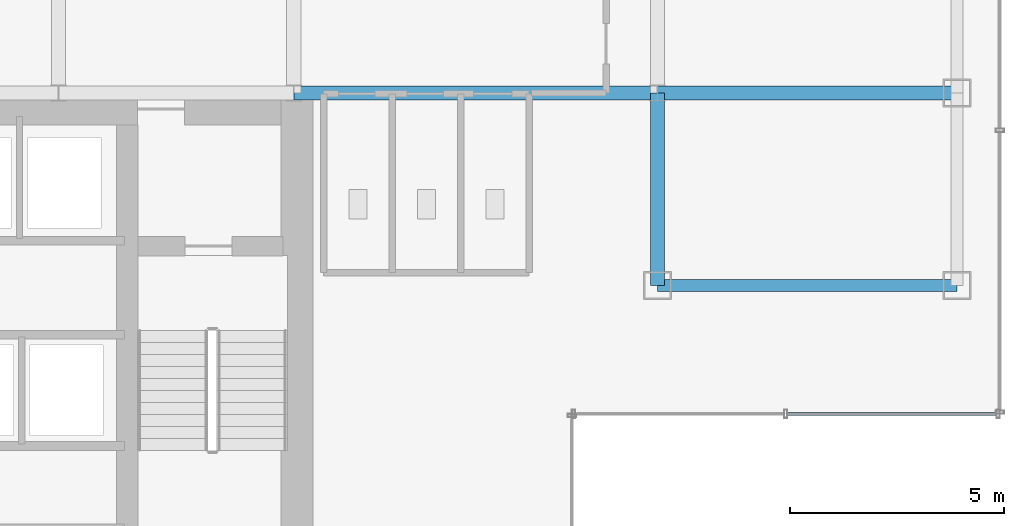
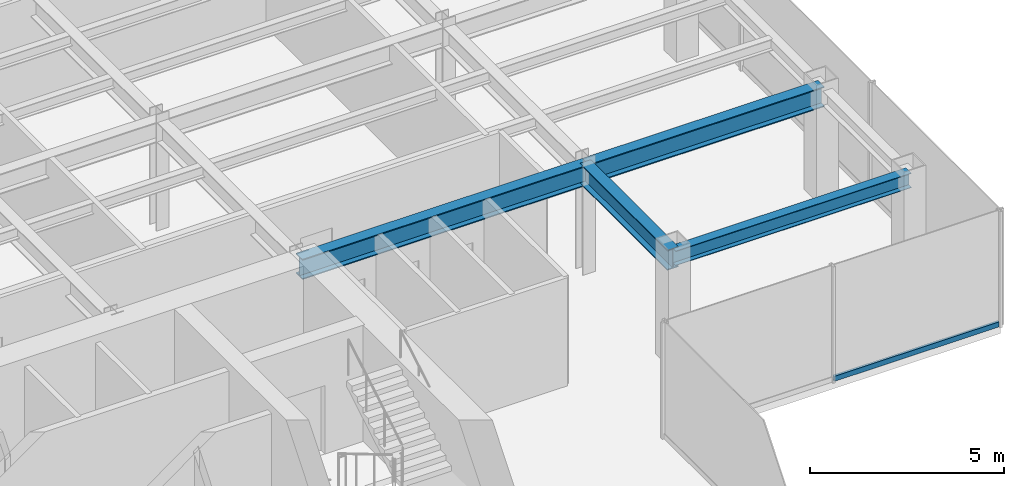
# One storey, part 10 of 25: 4 beams, 1 member, 1 element without a shape of its own.
"""IFC4 building model written with IfcOpenShell, lengths in metres."""

import ifcopenshell
import ifcopenshell.guid

model = None  # the IFC model being written
_history = None  # IfcOwnerHistory: only IFC2X3 demands one
_inside = {}  # id of a spatial element -> (the spatial element, [elements in it])
_under = {}  # id of a project, library or spatial element -> (it, [spatial elements below it])
_declared = {}  # id of a project -> (the project, [libraries it declares])
_typed = {}  # id of a type object -> (the type object, [elements of that type])
_made_of = {}  # id of a material, layer set ... -> (it, [elements and type objects made of it])


def new_model(schema):
    """Start an empty IFC model of exactly this schema.

    Asked for "IFC4X3", IfcOpenShell would pick the latest addendum, in which some entities
    have other attributes; the version numbers below select the first issue.
    IFC2X3 requires an IfcOwnerHistory on every rooted entity: one is made here for all.
    """
    global model, _history
    if schema == "IFC4X3":
        model = ifcopenshell.file(schema_version=(4, 3, 0, 0))
    else:
        model = ifcopenshell.file(schema=schema)
    _inside.clear()
    _under.clear()
    _declared.clear()
    _typed.clear()
    _made_of.clear()
    _history = None
    if model.schema == "IFC2X3":
        org = make("IfcOrganization", Name="unknown")
        user = make(
            "IfcPersonAndOrganization",
            ThePerson=make("IfcPerson", FamilyName="unknown"),
            TheOrganization=org,
        )
        app = make(
            "IfcApplication",
            ApplicationDeveloper=org,
            Version="unknown",
            ApplicationFullName="unknown",
            ApplicationIdentifier="unknown",
        )
        _history = make(
            "IfcOwnerHistory",
            OwningUser=user,
            OwningApplication=app,
            ChangeAction="ADDED",
            CreationDate=0,
        )
    return model


def make(cls, **values):
    """One entity of the class cls with the attributes given. An attribute that is None is left unset."""
    return model.create_entity(
        cls, **{name: value for name, value in values.items() if value is not None}
    )


def rooted(cls, **values):
    """An entity with a GlobalId (a new one), such as an element, a storey or a relation."""
    return make(cls, GlobalId=ifcopenshell.guid.new(), OwnerHistory=_history, **values)


def si_unit(unit_type, name, prefix=None):
    """IfcSIUnit, for example si_unit("LENGTHUNIT", "METRE", prefix="MILLI")."""
    return make("IfcSIUnit", UnitType=unit_type, Prefix=prefix, Name=name)


def derived_unit(unit_type, elements):
    """IfcDerivedUnit: a product of units, each with its exponent."""
    return make(
        "IfcDerivedUnit",
        Elements=[
            make("IfcDerivedUnitElement", Unit=unit, Exponent=power)
            for unit, power in elements
        ],
        UnitType=unit_type,
    )


def assignment(units):
    """IfcUnitAssignment: the units of a project."""
    return None if units is None else make("IfcUnitAssignment", Units=units)


def point(xyz):
    """IfcCartesianPoint."""
    return None if xyz is None else make("IfcCartesianPoint", Coordinates=xyz)


def direction(xyz):
    """IfcDirection."""
    return None if xyz is None else make("IfcDirection", DirectionRatios=xyz)


def frame(location, z_axis=None, x_axis=None):
    """IfcAxis2Placement3D, a coordinate frame: its origin and axes. An axis left out is left unset."""
    return make(
        "IfcAxis2Placement3D",
        Location=point(location),
        Axis=direction(z_axis),
        RefDirection=direction(x_axis),
    )


def frame_2d(location, x_axis=None):
    """IfcAxis2Placement2D, a coordinate frame in the plane: its origin and x axis."""
    return make(
        "IfcAxis2Placement2D", Location=point(location), RefDirection=direction(x_axis)
    )


def origin():
    """The frame at (0, 0, 0) with its axes left unset."""
    return frame((0.0, 0.0, 0.0))


def origin_2d():
    """The frame at (0, 0) in the plane with its x axis left unset."""
    return frame_2d((0.0, 0.0))


def place(relative_to, where):
    """IfcLocalPlacement: puts the frame where relative to a parent placement (None: the world)."""
    return make(
        "IfcLocalPlacement", PlacementRelTo=relative_to, RelativePlacement=where
    )


def context(
    kind, dimensions, precision=None, world=None, true_north=None, identifier=None
):
    """IfcGeometricRepresentationContext, for example the 3D "Model" context."""
    return make(
        "IfcGeometricRepresentationContext",
        ContextIdentifier=identifier,
        ContextType=kind,
        CoordinateSpaceDimension=dimensions,
        Precision=precision,
        WorldCoordinateSystem=world,
        TrueNorth=true_north,
    )


def subcontext(parent, identifier, kind, view, scale=None):
    """IfcGeometricRepresentationSubContext, for example "Body" below "Model"."""
    return make(
        "IfcGeometricRepresentationSubContext",
        ContextIdentifier=identifier,
        ContextType=kind,
        ParentContext=parent,
        TargetScale=scale,
        TargetView=view,
    )


def project(units=None, contexts=None):
    """IfcProject with its units and contexts."""
    return rooted(
        "IfcProject",
        Name="project",
        RepresentationContexts=contexts,
        UnitsInContext=assignment(units),
    )


def spatial(cls, under=None, at=None, **own):
    """A site, building, storey or space (cls), placed at a placement, below another one or the project."""
    s = rooted(cls, ObjectPlacement=at, **own)
    if under is not None:
        _under.setdefault(under.id(), (under, []))[1].append(s)
    return s


def profile(cls, at=None, kind="AREA", **sizes):
    """A parametric profile (cls). Its sizes go by their IFC names, for example OverallWidth=200.0."""
    return make(cls, ProfileType=kind, Position=at, **sizes)


def hollow_rectangle(**sizes):
    """IfcRectangleHollowProfileDef."""
    return profile("IfcRectangleHollowProfileDef", **sizes)


def i_section(**sizes):
    """IfcIShapeProfileDef."""
    return profile("IfcIShapeProfileDef", **sizes)


def extrude(swept, where, along, depth):
    """IfcExtrudedAreaSolid: the profile swept, set in the frame where, extruded along a direction by depth."""
    return make(
        "IfcExtrudedAreaSolid",
        SweptArea=swept,
        Position=where,
        ExtrudedDirection=direction(along),
        Depth=depth,
    )


def shape(context_of_items, identifier, shape_type, items):
    """IfcShapeRepresentation: the items that make up one representation, for example the "Body"."""
    return make(
        "IfcShapeRepresentation",
        ContextOfItems=context_of_items,
        RepresentationIdentifier=identifier,
        RepresentationType=shape_type,
        Items=items,
    )


def source(mapping_origin, context_of_items, identifier, shape_type, items):
    """IfcRepresentationMap: a shape defined once, which mapped items show again and again."""
    return make(
        "IfcRepresentationMap",
        MappingOrigin=mapping_origin,
        MappedRepresentation=shape(context_of_items, identifier, shape_type, items),
    )


def transform(
    local_origin,
    x_axis=None,
    y_axis=None,
    z_axis=None,
    scale=None,
    scale2=None,
    scale3=None,
    uniform=True,
):
    """IfcCartesianTransformationOperator3D, or its non-uniform kind. x_axis, y_axis, z_axis: its Axis1, 2, 3."""
    if uniform:
        return make(
            "IfcCartesianTransformationOperator3D",
            Axis1=direction(x_axis),
            Axis2=direction(y_axis),
            LocalOrigin=point(local_origin),
            Scale=scale,
            Axis3=direction(z_axis),
        )
    return make(
        "IfcCartesianTransformationOperator3DnonUniform",
        Axis1=direction(x_axis),
        Axis2=direction(y_axis),
        LocalOrigin=point(local_origin),
        Scale=scale,
        Axis3=direction(z_axis),
        Scale2=scale2,
        Scale3=scale3,
    )


def mapped(mapping_source, mapping_target):
    """IfcMappedItem: shows the shape of a source again, moved by a transform."""
    return make(
        "IfcMappedItem", MappingSource=mapping_source, MappingTarget=mapping_target
    )


def material(Name=None, Category=None):
    """IfcMaterial."""
    return make("IfcMaterial", Name=Name, Category=Category)


def material_profile(
    of_material, cross_section, Name=None, Category=None, Priority=None
):
    """IfcMaterialProfile: a cross section and its material."""
    return make(
        "IfcMaterialProfile",
        Name=Name,
        Material=of_material,
        Profile=cross_section,
        Priority=Priority,
        Category=Category,
    )


def profile_set(profiles, Name=None, composite=None):
    """IfcMaterialProfileSet."""
    return make(
        "IfcMaterialProfileSet",
        Name=Name,
        MaterialProfiles=profiles,
        CompositeProfile=composite,
    )


def made_of(thing, what):
    """Note that an element or type object is made of a material, layer set ...; save() writes the relation."""
    if what is not None:
        _made_of.setdefault(what.id(), (what, []))[1].append(thing)
    return thing


def type_object(cls, material=None, **own):
    """A type object (cls), such as IfcWallType, which elements share."""
    return made_of(rooted(cls, **own), material)


def element(
    cls,
    number,
    at=None,
    inside=None,
    cuts=None,
    type_object=None,
    material=None,
    context=None,
    identifier="Body",
    shape_type=None,
    held_by="IfcProductDefinitionShape",
    body=None,
    shapes=None,
    **own,
):
    """One element of the class cls, such as IfcWall. Its Tag is "e" and its number.

    at: its placement. inside: the storey or other place that contains it. cuts: it is an
    opening in that element (IfcRelVoidsElement). A single representation is given by context,
    identifier, shape_type and body (its items); several are given by shapes. held_by: the class
    of the entity that holds the representations. save() writes the other relations.
    """
    e = rooted(cls, Tag="e%d" % number, ObjectPlacement=at, **own)
    if body is not None:
        shapes = [shape(context, identifier, shape_type, body)]
    if shapes is not None:
        e.Representation = make(held_by, Representations=shapes)
    if inside is not None:
        _inside.setdefault(inside.id(), (inside, []))[1].append(e)
    if cuts is not None:
        rooted(
            "IfcRelVoidsElement", RelatingBuildingElement=cuts, RelatedOpeningElement=e
        )
    if type_object is not None:
        _typed.setdefault(type_object.id(), (type_object, []))[1].append(e)
    return made_of(e, material)


def aggregate(whole, parts):
    """IfcRelAggregates: a whole, such as a stair, and the parts it consists of."""
    return rooted("IfcRelAggregates", RelatingObject=whole, RelatedObjects=parts)


def save(model, path):
    """Write the relations noted so far, then the file.

    IfcRelAggregates (storeys below a building ...), IfcRelContainedInSpatialStructure (elements
    in a storey), IfcRelDefinesByType, IfcRelAssociatesMaterial and IfcRelDeclares: one each for
    every whole, place, type object, material and project.
    """
    for whole, parts in _under.values():
        aggregate(whole, parts)
    for where, things in _inside.values():
        rooted(
            "IfcRelContainedInSpatialStructure",
            RelatedElements=things,
            RelatingStructure=where,
        )
    for kind, things in _typed.values():
        rooted("IfcRelDefinesByType", RelatedObjects=things, RelatingType=kind)
    for what, things in _made_of.values():
        rooted("IfcRelAssociatesMaterial", RelatedObjects=things, RelatingMaterial=what)
    for by, libraries in _declared.values():
        rooted("IfcRelDeclares", RelatingContext=by, RelatedDefinitions=libraries)
    model.write(path)


model = new_model("IFC4")

# Units and contexts
model_context = context("Model", 3, precision=1e-05, world=origin(), true_north=direction((0.0, 1.0)))
body_context = subcontext(model_context, "Body", "Model", "MODEL_VIEW")
ifc_project = project(units=[si_unit("LENGTHUNIT", "METRE"), si_unit("AREAUNIT", "SQUARE_METRE"), si_unit("VOLUMEUNIT", "CUBIC_METRE"), si_unit("PLANEANGLEUNIT", "RADIAN"), si_unit("MASSUNIT", "GRAM", prefix="KILO"), derived_unit("THERMALTRANSMITTANCEUNIT", [(si_unit("POWERUNIT", "WATT"), 1), (si_unit("LENGTHUNIT", "METRE"), -2), (si_unit("THERMODYNAMICTEMPERATUREUNIT", "KELVIN"), -1)])], contexts=[model_context])

# Site, building, storey
site_placement = place(None, origin())
site = spatial("IfcSite", under=ifc_project, at=site_placement, CompositionType="ELEMENT")
building_placement = place(site_placement, origin())
building = spatial("IfcBuilding", under=site, at=building_placement, Name="Skarnbrae Concourse Arena and Tower", CompositionType="ELEMENT")
storey_placement = place(building_placement, frame((0.0, 0.0, 158.85009765625)))
storey = spatial("IfcBuildingStorey", under=building, at=storey_placement, Name="L40", CompositionType="ELEMENT", Elevation=158.85009765625)

# Beams
ifc_material_1 = material(Name="Steel CSA G40.21 350W", Category="steel")
ifc_material_profile_1 = material_profile(ifc_material_1, i_section(OverallWidth=0.280029296875, OverallDepth=0.462890625, WebThickness=0.0107421875, FlangeThickness=0.017333984375, at=origin_2d()), Name="W460X113")
ifc_profile_set_1 = profile_set([ifc_material_profile_1], Name="Steel CSA G40.21 350W")
beam_type_1 = type_object("IfcBeamType", Name="BM-SPAN-W460X113", PredefinedType="SPANDREL", material=ifc_profile_set_1)
shared_shape_1 = source(origin(), body_context, "Body", "SweptSolid", [
    extrude(i_section(OverallWidth=0.280029296875, OverallDepth=0.462890625, WebThickness=0.0107421875, FlangeThickness=0.017333984375, at=origin_2d()), origin(), (0.0, 0.0, 1.0), 7.0),
])
beam_1_placement = place(storey_placement, frame((42.0, 9.5, 3.16845703125), z_axis=(1.0, 0.0, 0.0), x_axis=(0.0, 1.0, 0.0)))
element("IfcBeam", 1, at=beam_1_placement, inside=storey, type_object=beam_type_1, Name="L40 Perimeter spandrel Y9.5-2", PredefinedType="SPANDREL", context=body_context, shape_type="MappedRepresentation", body=[
    mapped(shared_shape_1, transform((0.0, 0.0, 0.0))),
])
ifc_material_profile_2 = material_profile(ifc_material_1, i_section(OverallWidth=0.3291015625, OverallDepth=0.635009765625, WebThickness=0.017822265625, FlangeThickness=0.031005859375, at=origin_2d()), Name="W610X241")
ifc_profile_set_2 = profile_set([ifc_material_profile_2], Name="Steel CSA G40.21 350W")
beam_type_2 = type_object("IfcBeamType", Name="BM-GIRD-W610X241", PredefinedType="BEAM", material=ifc_profile_set_2)
shared_shape_2 = source(origin(), body_context, "Body", "SweptSolid", [
    extrude(i_section(OverallWidth=0.3291015625, OverallDepth=0.635009765625, WebThickness=0.017822265625, FlangeThickness=0.031005859375, at=origin_2d()), origin(), (0.0, 0.0, 1.0), 8.5),
])
beam_2_placement = place(storey_placement, frame((33.5, 14.0, 3.08251953125), z_axis=(1.0, 0.0, 0.0), x_axis=(0.0, 1.0, 0.0)))
element("IfcBeam", 2, at=beam_2_placement, inside=storey, type_object=beam_type_2, Name="L40 Primary E-W girder Y14.0-6", PredefinedType="BEAM", context=body_context, shape_type="MappedRepresentation", body=[
    mapped(shared_shape_2, transform((0.0, 0.0, 0.0))),
])
shared_shape_3 = source(origin(), body_context, "Body", "SweptSolid", [
    extrude(i_section(OverallWidth=0.3291015625, OverallDepth=0.635009765625, WebThickness=0.017822265625, FlangeThickness=0.031005859375, at=origin_2d()), origin(), (0.0, 0.0, 1.0), 7.0),
])
beam_3_placement = place(storey_placement, frame((42.0, 14.0, 3.08251953125), z_axis=(1.0, 0.0, 0.0), x_axis=(0.0, 1.0, 0.0)))
element("IfcBeam", 3, at=beam_3_placement, inside=storey, type_object=beam_type_2, Name="L40 Primary E-W girder Y14.0-7", PredefinedType="BEAM", context=body_context, shape_type="MappedRepresentation", body=[
    mapped(shared_shape_3, transform((0.0, 0.0, 0.0))),
])
shared_shape_4 = source(origin(), body_context, "Body", "SweptSolid", [
    extrude(i_section(OverallWidth=0.3291015625, OverallDepth=0.635009765625, WebThickness=0.017822265625, FlangeThickness=0.031005859375, at=origin_2d()), origin(), (0.0, 0.0, 1.0), 4.5),
])
beam_4_placement = place(storey_placement, frame((42.0, 9.5, 3.08251953125), z_axis=(0.0, 1.0, 0.0), x_axis=(-1.0, 0.0, 0.0)))
element("IfcBeam", 4, at=beam_4_placement, inside=storey, type_object=beam_type_2, Name="L40 Primary N-S girder X42.0-1", PredefinedType="BEAM", context=body_context, shape_type="MappedRepresentation", body=[
    mapped(shared_shape_4, transform((0.0, 0.0, 0.0))),
])

# Curtain wall, member
ifc_material_2 = material(Name="Bronze anodised aluminium 6063-T6", Category="aluminium")
curtain_wall_type = type_object("IfcCurtainWallType", Name="CW-SYS-04-MIDZONE", PredefinedType="USERDEFINED", material=ifc_material_2)
curtain_wall_placement = place(storey_placement, origin())
curtain_wall = element("IfcCurtainWall", 5, at=curtain_wall_placement, inside=storey, type_object=curtain_wall_type, Name="L40 Unitised curtain wall CW-L40-E03", ObjectType="UNITISED CURTAIN WALL", PredefinedType="USERDEFINED")
ifc_material_profile_3 = material_profile(ifc_material_2, hollow_rectangle(XDim=0.074951171875, YDim=0.159912109375, WallThickness=0.00439453125, at=origin_2d()), Name="ALU-TRAN-75X160")
ifc_profile_set_3 = profile_set([ifc_material_profile_3], Name="Bronze anodised aluminium 6063-T6")
member_type = type_object("IfcMemberType", Name="CWT-CW-04", PredefinedType="USERDEFINED", material=ifc_profile_set_3)
shared_shape_5 = source(origin(), body_context, "Body", "SweptSolid", [
    extrude(hollow_rectangle(XDim=0.074951171875, YDim=0.159912109375, WallThickness=0.00439453125, at=origin_2d()), origin(), (0.0, 0.0, 1.0), 4.887451171875),
])
member_placement = place(storey_placement, frame((45.03759765625, 6.5, 0.079833984375), z_axis=(1.0, 0.0, 0.0), x_axis=(0.0, 1.0, 0.0)))
member = element("IfcMember", 6, at=member_placement, type_object=member_type, Name="CW-L40-E03 Transom 2", ObjectType="TRANSOM", PredefinedType="USERDEFINED", context=body_context, shape_type="MappedRepresentation", body=[
    mapped(shared_shape_5, transform((0.0, 0.0, 0.0))),
])
aggregate(curtain_wall, [member])

save(model, "model.ifc")
